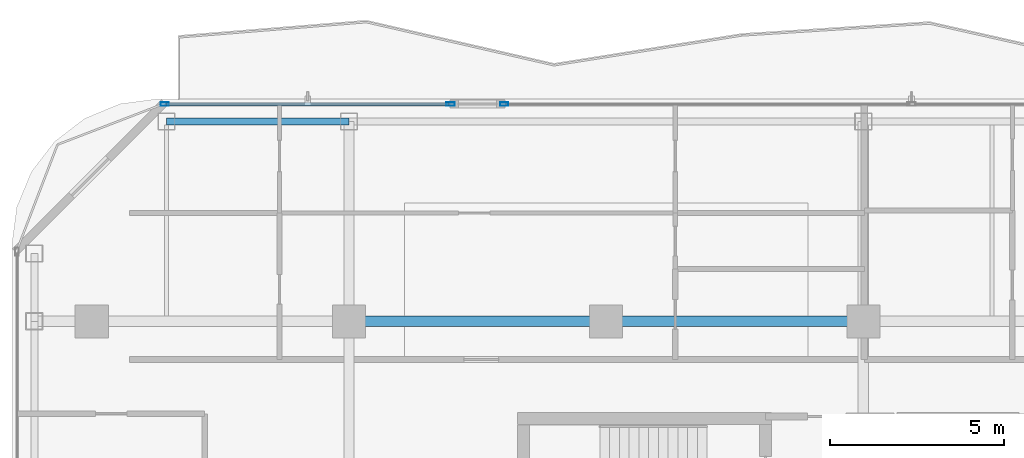
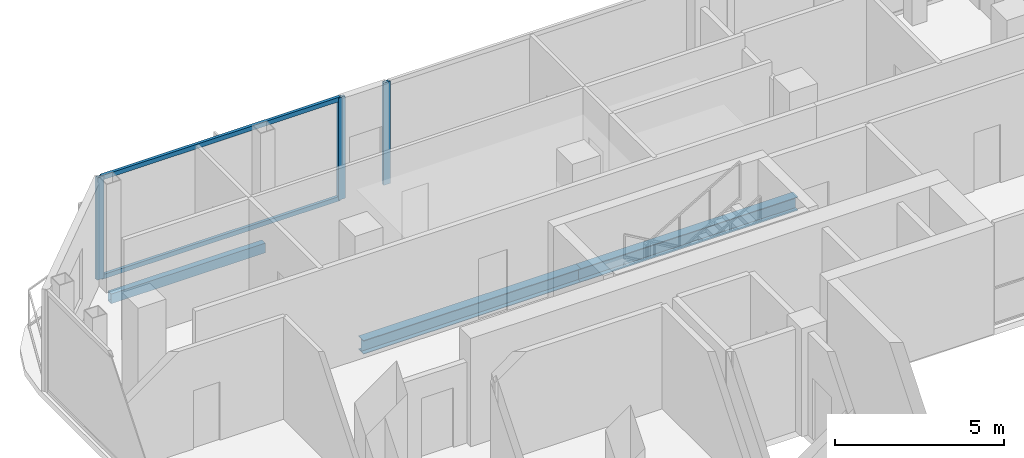
# One storey, part 12 of 26: 5 members, 3 beams, 2 elements without a shape of their own.
"""IFC4 building model written with IfcOpenShell, lengths in metres."""

from ifc_helpers import new_model, si_unit, direction, frame, origin, origin_2d, place, context, subcontext, project, spatial, hollow_rectangle, i_section, extrude, material, layer, layer_set, material_profile, profile_set, type_object, element, aggregate, save


model = new_model("IFC4")

# Units and contexts
model_context = context("Model", 3, precision=1e-05, world=origin(), true_north=direction((0.0, 1.0)))
body_context = subcontext(model_context, "Body", "Model", "MODEL_VIEW")
ifc_project = project(units=[si_unit("LENGTHUNIT", "METRE"), si_unit("AREAUNIT", "SQUARE_METRE"), si_unit("VOLUMEUNIT", "CUBIC_METRE"), si_unit("PLANEANGLEUNIT", "RADIAN"), si_unit("MASSUNIT", "GRAM", prefix="KILO")], contexts=[model_context])

# Site, building, storey
site_placement = place(None, origin())
site = spatial("IfcSite", under=ifc_project, at=site_placement, CompositionType="ELEMENT")
building_placement = place(site_placement, origin())
building = spatial("IfcBuilding", under=site, at=building_placement, Name="Khorvyn Point Tower", CompositionType="ELEMENT")
storey_placement = place(building_placement, frame((0.0, 0.0, 262.5)))
storey = spatial("IfcBuildingStorey", under=building, at=storey_placement, Name="L64", CompositionType="ELEMENT", Elevation=262.5)

# Curtain wall, members
ifc_material_1 = material(Name="Anodised aluminium 6063-T6 and laminated Low-E glass", Category="aluminium")
ifc_layer = layer(ifc_material_1, 0.18994140625)
ifc_layer_set = layer_set([ifc_layer], Name="Stick-Built High-Wind Curtain Wall CW-SYS-04")
curtain_wall_type = type_object("IfcCurtainWallType", Name="Stick-Built High-Wind Curtain Wall CW-SYS-04", PredefinedType="NOTDEFINED", material=ifc_layer_set)
curtain_wall_1_placement = place(storey_placement, origin())
curtain_wall_1 = element("IfcCurtainWall", 1, at=curtain_wall_1_placement, inside=storey, type_object=curtain_wall_type, Name="Curtain Wall", PredefinedType="NOTDEFINED")
ifc_material_2 = material(Name="Anodised aluminium 6063-T6", Category="aluminium")
ifc_material_profile_1 = material_profile(ifc_material_2, hollow_rectangle(XDim=0.10009765625, YDim=0.239990234375, WallThickness=0.0048828125, at=origin_2d()))
ifc_profile_set_1 = profile_set([ifc_material_profile_1], Name="Anodised aluminium 6063-T6 ALU-MUL-100x240")
member_type_1 = type_object("IfcMemberType", Name="Anodised Aluminium 6063-T6 Mullion ALU-MUL-100x240", PredefinedType="MULLION", material=ifc_profile_set_1)
member_1_placement = place(storey_placement, frame((-12.699951171875, 21.050048828125, 0.0), z_axis=(0.0, 0.0, 1.0), x_axis=(0.0, 1.0, 0.0)))
member_1 = element("IfcMember", 2, at=member_1_placement, type_object=member_type_1, Name="Transom", PredefinedType="MULLION", context=body_context, shape_type="SweptSolid", body=[
    extrude(hollow_rectangle(XDim=0.10009765625, YDim=0.239990234375, WallThickness=0.0048828125, at=origin_2d()), origin(), (0.0, 0.0, 1.0), 3.679931640625),
])
member_2_placement = place(storey_placement, frame((-4.47509765625, 21.050048828125, 0.0), z_axis=(0.0, 0.0, 1.0), x_axis=(0.0, 1.0, 0.0)))
member_2 = element("IfcMember", 3, at=member_2_placement, type_object=member_type_1, Name="Transom", PredefinedType="MULLION", context=body_context, shape_type="SweptSolid", body=[
    extrude(hollow_rectangle(XDim=0.10009765625, YDim=0.239990234375, WallThickness=0.0048828125, at=origin_2d()), origin(), (0.0, 0.0, 1.0), 3.679931640625),
])

# Curtain wall, member
curtain_wall_2_placement = place(storey_placement, origin())
curtain_wall_2 = element("IfcCurtainWall", 4, at=curtain_wall_2_placement, inside=storey, type_object=curtain_wall_type, Name="Curtain Wall", PredefinedType="NOTDEFINED")
member_3_placement = place(storey_placement, frame((-2.93505859375, 21.050048828125, 0.0), z_axis=(0.0, 0.0, 1.0), x_axis=(0.0, 1.0, 0.0)))
member_3 = element("IfcMember", 5, at=member_3_placement, type_object=member_type_1, Name="Transom", PredefinedType="MULLION", context=body_context, shape_type="SweptSolid", body=[
    extrude(hollow_rectangle(XDim=0.10009765625, YDim=0.239990234375, WallThickness=0.0048828125, at=origin_2d()), origin(), (0.0, 0.0, 1.0), 3.679931640625),
])
aggregate(curtain_wall_2, [member_3])

# Member
ifc_material_profile_2 = material_profile(ifc_material_2, hollow_rectangle(XDim=0.10009765625, YDim=0.159912109375, WallThickness=0.00439453125, at=origin_2d()))
ifc_profile_set_2 = profile_set([ifc_material_profile_2], Name="Anodised aluminium 6063-T6 ALU-TRN-100x160")
member_type_2 = type_object("IfcMemberType", Name="Anodised Aluminium 6063-T6 Transom ALU-TRN-100x160", PredefinedType="USERDEFINED", material=ifc_profile_set_2)
member_4_placement = place(storey_placement, frame((-12.64990234375, 21.050048828125, 0.050048828125), z_axis=(1.0, 0.0, 0.0), x_axis=(0.0, 1.0, 0.0)))
member_4 = element("IfcMember", 6, at=member_4_placement, type_object=member_type_2, Name="Transom", ObjectType="TRANSOM", PredefinedType="USERDEFINED", context=body_context, shape_type="SweptSolid", body=[
    extrude(hollow_rectangle(XDim=0.10009765625, YDim=0.159912109375, WallThickness=0.00439453125, at=origin_2d()), origin(), (0.0, 0.0, 1.0), 8.125),
])

member_5_placement = place(storey_placement, frame((-12.64990234375, 21.050048828125, 3.6298828125), z_axis=(1.0, 0.0, 0.0), x_axis=(0.0, 1.0, 0.0)))
member_5 = element("IfcMember", 7, at=member_5_placement, type_object=member_type_2, Name="Transom", ObjectType="TRANSOM", PredefinedType="USERDEFINED", context=body_context, shape_type="SweptSolid", body=[
    extrude(hollow_rectangle(XDim=0.10009765625, YDim=0.159912109375, WallThickness=0.00439453125, at=origin_2d()), origin(), (0.0, 0.0, 1.0), 8.125),
])

aggregate(curtain_wall_1, [member_1, member_2, member_4, member_5])

# Beams
ifc_material_3 = material(Name="Steel S355", Category="steel")
ifc_material_profile_3 = material_profile(ifc_material_3, i_section(OverallWidth=0.300048828125, OverallDepth=0.488037109375, WebThickness=0.010986328125, FlangeThickness=0.01806640625, at=origin_2d()))
ifc_profile_set_3 = profile_set([ifc_material_profile_3], Name="Steel S355 H488x300x11x18")
beam_type_1 = type_object("IfcBeamType", Name="Steel S355 Spandrel H488x300x11x18", PredefinedType="SPANDREL", material=ifc_profile_set_3)
for number, where, z_axis, x_axis, name in (
    (8, (-7.39990234375, 14.800048828125, -0.464111328125), (1.0, 0.0, 0.0), (0.0, 1.0, 0.0), "Beam"),
    (9, (0.0, 14.800048828125, -0.464111328125), (1.0, 0.0, 0.0), (0.0, 1.0, 0.0), "Beam"),
):
    element("IfcBeam", number, at=place(storey_placement, frame(where, z_axis=z_axis, x_axis=x_axis)), inside=storey, type_object=beam_type_1, Name=name, PredefinedType="SPANDREL", context=body_context, shape_type="SweptSolid", body=[
        extrude(i_section(OverallWidth=0.300048828125, OverallDepth=0.488037109375, WebThickness=0.010986328125, FlangeThickness=0.01806640625, at=origin_2d()), origin(), (0.0, 0.0, 1.0), 7.39990234375),
    ])
ifc_material_profile_4 = material_profile(ifc_material_3, hollow_rectangle(XDim=0.199951171875, YDim=0.35009765625, WallThickness=0.013916015625, at=origin_2d()))
ifc_profile_set_4 = profile_set([ifc_material_profile_4], Name="Steel S355 RHS350x200x14")
beam_type_2 = type_object("IfcBeamType", Name="Steel S355 Spandrel RHS350x200x14", PredefinedType="SPANDREL", material=ifc_profile_set_4)
beam_placement = place(storey_placement, frame((-12.64990234375, 20.550048828125, -0.39501953125), z_axis=(1.0, 0.0, 0.0), x_axis=(0.0, 1.0, 0.0)))
element("IfcBeam", 10, at=beam_placement, inside=storey, type_object=beam_type_2, Name="Beam", PredefinedType="SPANDREL", context=body_context, shape_type="SweptSolid", body=[
    extrude(hollow_rectangle(XDim=0.199951171875, YDim=0.35009765625, WallThickness=0.013916015625, at=origin_2d()), origin(), (0.0, 0.0, 1.0), 5.25),
])

save(model, "model.ifc")
